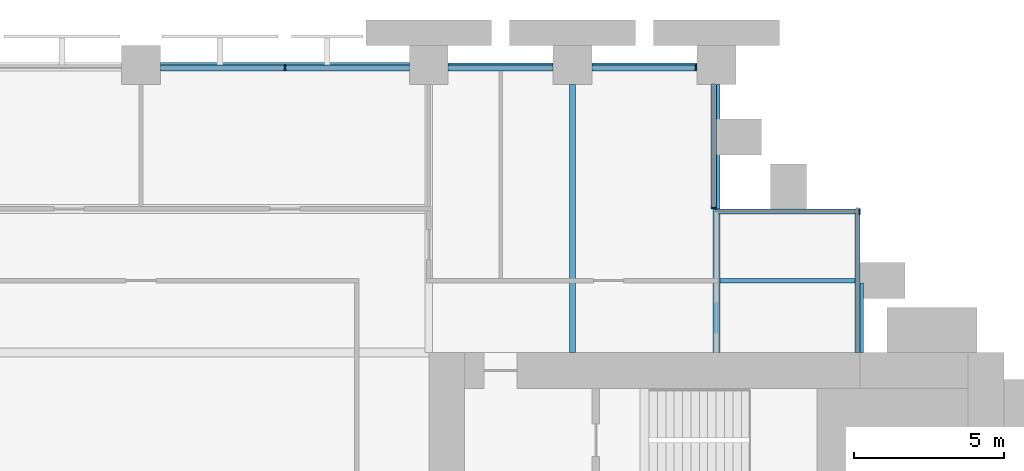
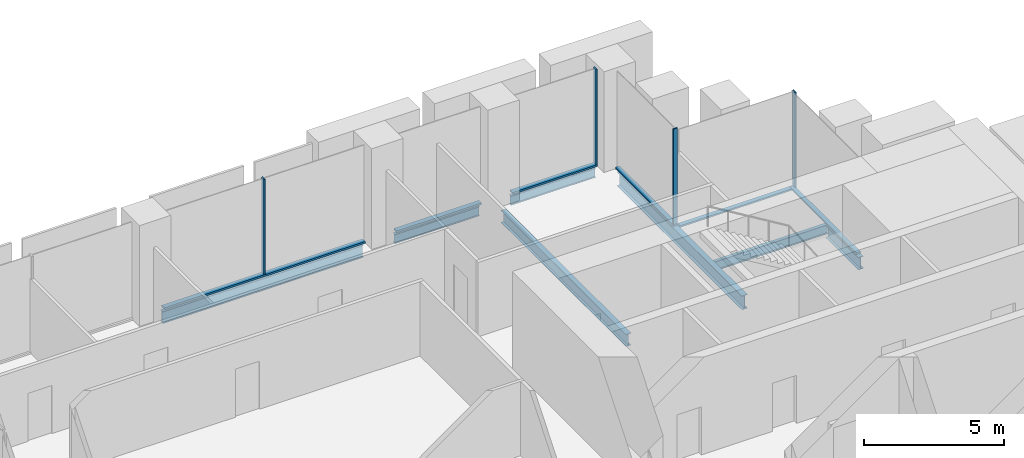
# One storey, part 15 of 30: 10 members, 7 beams, 4 elements without a shape of their own.
"""IFC4 building model written with IfcOpenShell, lengths in metres."""

from ifc_helpers import new_model, si_unit, direction, frame, origin, origin_2d, place, context, subcontext, project, spatial, rectangle, i_section, extrude, material, material_profile, profile_set, type_object, element, aggregate, save


model = new_model("IFC4")

# Units and contexts
model_context = context("Model", 3, precision=1e-05, world=origin(), true_north=direction((0.0, 1.0)))
body_context = subcontext(model_context, "Body", "Model", "MODEL_VIEW")
ifc_project = project(units=[si_unit("LENGTHUNIT", "METRE"), si_unit("AREAUNIT", "SQUARE_METRE"), si_unit("VOLUMEUNIT", "CUBIC_METRE"), si_unit("PLANEANGLEUNIT", "RADIAN"), si_unit("MASSUNIT", "GRAM", prefix="KILO")], contexts=[model_context])

# Site, building, storey
site_placement = place(None, origin())
site = spatial("IfcSite", under=ifc_project, at=site_placement, CompositionType="ELEMENT")
building_placement = place(site_placement, origin())
building = spatial("IfcBuilding", under=site, at=building_placement, Name="Baori Bourse Tower", CompositionType="ELEMENT")
storey_placement = place(building_placement, frame((0.0, 0.0, 17.0)))
storey = spatial("IfcBuildingStorey", under=building, at=storey_placement, Name="L02", CompositionType="ELEMENT", Elevation=17.0)

# Curtain wall, members
ifc_material_1 = material(Name="Pale anodised aluminium", Category="aluminium")
curtain_wall_type_1 = type_object("IfcCurtainWallType", Name="CW1 Curtain wall", PredefinedType="NOTDEFINED", material=ifc_material_1)
curtain_wall_1_placement = place(storey_placement, origin())
curtain_wall_1 = element("IfcCurtainWall", 1, at=curtain_wall_1_placement, inside=storey, type_object=curtain_wall_type_1, Name="Curtain wall CW1 L02 4", PredefinedType="NOTDEFINED")
ifc_material_2 = material(Name="Pale anodised aluminium", Category="aluminium")
ifc_material_profile_1 = material_profile(ifc_material_2, rectangle(XDim=0.199951171875, YDim=0.06005859375, at=origin_2d()), Name="Mullion 60x200")
ifc_profile_set_1 = profile_set([ifc_material_profile_1], Name="Pale anodised aluminium")
member_type_1 = type_object("IfcMemberType", Name="CW1 Curtain wall mullion", PredefinedType="MULLION", material=ifc_profile_set_1)
member_1_placement = place(storey_placement, frame((47.320068359375, 47.89990234375, 0.080078125), z_axis=(0.0, 0.0, 1.0), x_axis=(0.0, -1.0, 0.0)))
member_1 = element("IfcMember", 2, at=member_1_placement, type_object=member_type_1, Name="Curtain wall CW1 mullion", PredefinedType="MULLION", context=body_context, shape_type="SweptSolid", body=[
    extrude(rectangle(XDim=0.199951171875, YDim=0.06005859375, at=origin_2d()), origin(), (0.0, 0.0, 1.0), 4.159912109375),
])
member_2_placement = place(storey_placement, frame((33.60009765625, 47.89990234375, 0.080078125), z_axis=(0.0, 0.0, 1.0), x_axis=(0.0, -1.0, 0.0)))
member_2 = element("IfcMember", 3, at=member_2_placement, type_object=member_type_1, Name="Curtain wall CW1 mullion", PredefinedType="MULLION", context=body_context, shape_type="SweptSolid", body=[
    extrude(rectangle(XDim=0.199951171875, YDim=0.06005859375, at=origin_2d()), origin(), (0.0, 0.0, 1.0), 4.159912109375),
])
ifc_material_3 = material(Name="Pale anodised aluminium", Category="aluminium")
ifc_material_profile_2 = material_profile(ifc_material_3, rectangle(XDim=0.199951171875, YDim=0.080078125, at=origin_2d()), Name="Transom 80x200")
ifc_profile_set_2 = profile_set([ifc_material_profile_2], Name="Pale anodised aluminium")
member_type_2 = type_object("IfcMemberType", Name="CW1 Curtain wall transom", PredefinedType="USERDEFINED", material=ifc_profile_set_2)
member_3_placement = place(storey_placement, frame((47.35009765625, 47.89990234375, 0.0400390625), z_axis=(-1.0, 0.0, 0.0), x_axis=(0.0, -1.0, 0.0)))
member_3 = element("IfcMember", 4, at=member_3_placement, type_object=member_type_2, Name="Curtain wall CW1 sill rail", ObjectType="TRANSOM", PredefinedType="USERDEFINED", context=body_context, shape_type="SweptSolid", body=[
    extrude(rectangle(XDim=0.199951171875, YDim=0.080078125, at=origin_2d()), origin(), (0.0, 0.0, 1.0), 3.5),
])
member_4_placement = place(storey_placement, frame((42.550048828125, 47.89990234375, 0.0400390625), z_axis=(-1.0, 0.0, 0.0), x_axis=(0.0, -1.0, 0.0)))
member_4 = element("IfcMember", 5, at=member_4_placement, type_object=member_type_2, Name="Curtain wall CW1 sill rail", ObjectType="TRANSOM", PredefinedType="USERDEFINED", context=body_context, shape_type="SweptSolid", body=[
    extrude(rectangle(XDim=0.199951171875, YDim=0.080078125, at=origin_2d()), origin(), (0.0, 0.0, 1.0), 3.5),
])
member_5_placement = place(storey_placement, frame((37.75, 47.89990234375, 0.0400390625), z_axis=(-1.0, 0.0, 0.0), x_axis=(0.0, -1.0, 0.0)))
member_5 = element("IfcMember", 6, at=member_5_placement, type_object=member_type_2, Name="Curtain wall CW1 sill rail", ObjectType="TRANSOM", PredefinedType="USERDEFINED", context=body_context, shape_type="SweptSolid", body=[
    extrude(rectangle(XDim=0.199951171875, YDim=0.080078125, at=origin_2d()), origin(), (0.0, 0.0, 1.0), 8.300048828125),
])
aggregate(curtain_wall_1, [member_3, member_1, member_4, member_5, member_2])

# Curtain wall, member
ifc_material_4 = material(Name="Pale anodised aluminium", Category="aluminium")
curtain_wall_type_2 = type_object("IfcCurtainWallType", Name="CW2 Curtain wall", PredefinedType="NOTDEFINED", material=ifc_material_4)
curtain_wall_2_placement = place(storey_placement, origin())
curtain_wall_2 = element("IfcCurtainWall", 7, at=curtain_wall_2_placement, inside=storey, type_object=curtain_wall_type_2, Name="Curtain wall CW2 L02 2", PredefinedType="NOTDEFINED")
ifc_material_5 = material(Name="Pale anodised aluminium", Category="aluminium")
ifc_material_profile_3 = material_profile(ifc_material_5, rectangle(XDim=0.179931640625, YDim=0.054931640625, at=origin_2d()), Name="Mullion 55x180")
ifc_profile_set_3 = profile_set([ifc_material_profile_3], Name="Pale anodised aluminium")
member_type_3 = type_object("IfcMemberType", Name="CW2 Curtain wall mullion", PredefinedType="MULLION", material=ifc_profile_set_3)
member_6_placement = place(storey_placement, frame((52.7724609375, 43.110107421875, 0.070068359375), z_axis=(0.0, 0.0, 1.0), x_axis=(0.0, -1.0, 0.0)))
member_6 = element("IfcMember", 8, at=member_6_placement, type_object=member_type_3, Name="Curtain wall CW2 mullion", PredefinedType="MULLION", context=body_context, shape_type="SweptSolid", body=[
    extrude(rectangle(XDim=0.179931640625, YDim=0.054931640625, at=origin_2d()), origin(), (0.0, 0.0, 1.0), 4.169921875),
])

curtain_wall_3_placement = place(storey_placement, origin())
curtain_wall_3 = element("IfcCurtainWall", 9, at=curtain_wall_3_placement, inside=storey, type_object=curtain_wall_type_2, Name="Curtain wall CW2 L02 3", PredefinedType="NOTDEFINED")
member_7_placement = place(storey_placement, frame((47.909912109375, 43.2275390625, 0.070068359375), z_axis=(0.0, 0.0, 1.0), x_axis=(-1.0, 0.0, 0.0)))
member_7 = element("IfcMember", 10, at=member_7_placement, type_object=member_type_3, Name="Curtain wall CW2 mullion", PredefinedType="MULLION", context=body_context, shape_type="SweptSolid", body=[
    extrude(rectangle(XDim=0.179931640625, YDim=0.054931640625, at=origin_2d()), origin(), (0.0, 0.0, 1.0), 4.169921875),
])

curtain_wall_4_placement = place(storey_placement, origin())
curtain_wall_4 = element("IfcCurtainWall", 11, at=curtain_wall_4_placement, inside=storey, type_object=curtain_wall_type_2, Name="Curtain wall CW2 L02 1", PredefinedType="NOTDEFINED")
ifc_material_6 = material(Name="Pale anodised aluminium", Category="aluminium")
ifc_material_profile_4 = material_profile(ifc_material_6, rectangle(XDim=0.179931640625, YDim=0.070068359375, at=origin_2d()), Name="Transom 70x180")
ifc_profile_set_4 = profile_set([ifc_material_profile_4], Name="Pale anodised aluminium")
member_type_4 = type_object("IfcMemberType", Name="CW2 Curtain wall transom", PredefinedType="USERDEFINED", material=ifc_profile_set_4)
member_8_placement = place(storey_placement, frame((52.7099609375, 38.39990234375, 0.034912109375), z_axis=(0.0, 1.0, 0.0), x_axis=(-1.0, 0.0, 0.0)))
member_8 = element("IfcMember", 12, at=member_8_placement, type_object=member_type_4, Name="Curtain wall CW2 sill rail", ObjectType="TRANSOM", PredefinedType="USERDEFINED", context=body_context, shape_type="SweptSolid", body=[
    extrude(rectangle(XDim=0.179931640625, YDim=0.070068359375, at=origin_2d()), origin(), (0.0, 0.0, 1.0), 4.800048828125),
])
aggregate(curtain_wall_4, [member_8])

# Member
member_9_placement = place(storey_placement, frame((52.800048828125, 43.110107421875, 0.034912109375), z_axis=(-1.0, 0.0, 0.0), x_axis=(0.0, -1.0, 0.0)))
member_9 = element("IfcMember", 13, at=member_9_placement, type_object=member_type_4, Name="Curtain wall CW2 sill rail", ObjectType="TRANSOM", PredefinedType="USERDEFINED", context=body_context, shape_type="SweptSolid", body=[
    extrude(rectangle(XDim=0.179931640625, YDim=0.070068359375, at=origin_2d()), origin(), (0.0, 0.0, 1.0), 4.800048828125),
])

aggregate(curtain_wall_2, [member_9, member_6])

member_10_placement = place(storey_placement, frame((47.909912109375, 43.199951171875, 0.034912109375), z_axis=(0.0, 1.0, 0.0), x_axis=(-1.0, 0.0, 0.0)))
member_10 = element("IfcMember", 14, at=member_10_placement, type_object=member_type_4, Name="Curtain wall CW2 sill rail", ObjectType="TRANSOM", PredefinedType="USERDEFINED", context=body_context, shape_type="SweptSolid", body=[
    extrude(rectangle(XDim=0.179931640625, YDim=0.070068359375, at=origin_2d()), origin(), (0.0, 0.0, 1.0), 4.150146484375),
])

aggregate(curtain_wall_3, [member_10, member_7])

# Beams
ifc_material_7 = material(Name="Steel A992 Gr 50", Category="steel")
ifc_material_profile_5 = material_profile(ifc_material_7, i_section(OverallWidth=0.21240234375, OverallDepth=0.54345703125, WebThickness=0.01318359375, FlangeThickness=0.021240234375, at=origin_2d()), Name="W21x83")
ifc_profile_set_5 = profile_set([ifc_material_profile_5], Name="Steel A992 Gr 50")
beam_type_1 = type_object("IfcBeamType", Name="Core bracket W21x83", PredefinedType="BEAM", material=ifc_profile_set_5)
beam_1_placement = place(storey_placement, frame((52.800048828125, 38.39990234375, -0.431884765625), z_axis=(0.0, 1.0, 0.0), x_axis=(-1.0, 0.0, 0.0)))
element("IfcBeam", 15, at=beam_1_placement, inside=storey, type_object=beam_type_1, Name="Core bracket L02", PredefinedType="BEAM", context=body_context, shape_type="SweptSolid", body=[
    extrude(i_section(OverallWidth=0.21240234375, OverallDepth=0.54345703125, WebThickness=0.01318359375, FlangeThickness=0.021240234375, at=origin_2d()), origin(), (0.0, 0.0, 1.0), 2.329833984375),
])
ifc_material_8 = material(Name="Steel A992 Gr 50", Category="steel")
ifc_material_profile_6 = material_profile(ifc_material_8, i_section(OverallWidth=0.140380859375, OverallDepth=0.40380859375, WebThickness=0.007080078125, FlangeThickness=0.01123046875, at=origin_2d()), Name="W16x31")
ifc_profile_set_6 = profile_set([ifc_material_profile_6], Name="Steel A992 Gr 50")
beam_type_2 = type_object("IfcBeamType", Name="Edge beam W16x31", PredefinedType="BEAM", material=ifc_profile_set_6)
for number, where, z_axis, x_axis, name in (
    (16, (39.050048828125, 48.0, -0.36181640625), (1.0, 0.0, 0.0), (0.0, 1.0, 0.0), "Edge beam L02"),
    (17, (43.85009765625, 48.0, -0.36181640625), (1.0, 0.0, 0.0), (0.0, 1.0, 0.0), "Edge beam L02"),
):
    element("IfcBeam", number, at=place(storey_placement, frame(where, z_axis=z_axis, x_axis=x_axis)), inside=storey, type_object=beam_type_2, Name=name, PredefinedType="BEAM", context=body_context, shape_type="SweptSolid", body=[
        extrude(i_section(OverallWidth=0.140380859375, OverallDepth=0.40380859375, WebThickness=0.007080078125, FlangeThickness=0.01123046875, at=origin_2d()), origin(), (0.0, 0.0, 1.0), 3.5),
    ])
ifc_material_9 = material(Name="Steel A992 Gr 50", Category="steel")
ifc_material_profile_7 = material_profile(ifc_material_9, i_section(OverallWidth=0.1650390625, OverallDepth=0.52587890625, WebThickness=0.0087890625, FlangeThickness=0.011474609375, at=origin_2d()), Name="W21x44")
ifc_profile_set_7 = profile_set([ifc_material_profile_7], Name="Steel A992 Gr 50")
beam_type_3 = type_object("IfcBeamType", Name="Edge beam W21x44", PredefinedType="BEAM", material=ifc_profile_set_7)
beam_2_placement = place(storey_placement, frame((29.449951171875, 48.0, -0.4228515625), z_axis=(1.0, 0.0, 0.0), x_axis=(0.0, 1.0, 0.0)))
element("IfcBeam", 18, at=beam_2_placement, inside=storey, type_object=beam_type_3, Name="Edge beam L02", PredefinedType="BEAM", context=body_context, shape_type="SweptSolid", body=[
    extrude(i_section(OverallWidth=0.1650390625, OverallDepth=0.52587890625, WebThickness=0.0087890625, FlangeThickness=0.011474609375, at=origin_2d()), origin(), (0.0, 0.0, 1.0), 8.300048828125),
])
ifc_material_10 = material(Name="Steel A992 Gr 50", Category="steel")
ifc_material_profile_8 = material_profile(ifc_material_10, i_section(OverallWidth=0.209228515625, OverallDepth=0.533447265625, WebThickness=0.01025390625, FlangeThickness=0.015625, at=origin_2d()), Name="W21x62")
ifc_profile_set_8 = profile_set([ifc_material_profile_8], Name="Steel A992 Gr 50")
beam_type_4 = type_object("IfcBeamType", Name="Floor beam W21x62", PredefinedType="BEAM", material=ifc_profile_set_8)
beam_3_placement = place(storey_placement, frame((43.199951171875, 38.39990234375, -0.4267578125), z_axis=(0.0, 1.0, 0.0), x_axis=(-1.0, 0.0, 0.0)))
element("IfcBeam", 19, at=beam_3_placement, inside=storey, type_object=beam_type_4, Name="Floor beam L02", PredefinedType="BEAM", context=body_context, shape_type="SweptSolid", body=[
    extrude(i_section(OverallWidth=0.209228515625, OverallDepth=0.533447265625, WebThickness=0.01025390625, FlangeThickness=0.015625, at=origin_2d()), origin(), (0.0, 0.0, 1.0), 8.9501953125),
])
ifc_material_11 = material(Name="Steel A992 Gr 50", Category="steel")
ifc_material_profile_9 = material_profile(ifc_material_11, i_section(OverallWidth=0.227783203125, OverallDepth=0.60205078125, WebThickness=0.010498046875, FlangeThickness=0.014892578125, at=origin_2d()), Name="W24x68")
ifc_profile_set_9 = profile_set([ifc_material_profile_9], Name="Steel A992 Gr 50")
beam_type_5 = type_object("IfcBeamType", Name="Floor beam W24x68", PredefinedType="BEAM", material=ifc_profile_set_9)
beam_4_placement = place(storey_placement, frame((48.0, 38.39990234375, -0.4609375), z_axis=(0.0, 1.0, 0.0), x_axis=(-1.0, 0.0, 0.0)))
element("IfcBeam", 20, at=beam_4_placement, inside=storey, type_object=beam_type_5, Name="Floor beam L02", PredefinedType="BEAM", context=body_context, shape_type="SweptSolid", body=[
    extrude(i_section(OverallWidth=0.227783203125, OverallDepth=0.60205078125, WebThickness=0.010498046875, FlangeThickness=0.014892578125, at=origin_2d()), origin(), (0.0, 0.0, 1.0), 8.9501953125),
])
ifc_material_12 = material(Name="Steel A992 Gr 50", Category="steel")
ifc_material_profile_10 = material_profile(ifc_material_12, i_section(OverallWidth=0.140380859375, OverallDepth=0.40380859375, WebThickness=0.007080078125, FlangeThickness=0.01123046875, at=origin_2d()), Name="W16x31")
ifc_profile_set_10 = profile_set([ifc_material_profile_10], Name="Steel A992 Gr 50")
beam_type_6 = type_object("IfcBeamType", Name="Trimmer beam W16x31", PredefinedType="BEAM", material=ifc_profile_set_10)
beam_5_placement = place(storey_placement, frame((48.114013671875, 40.800048828125, -0.36181640625), z_axis=(1.0, 0.0, 0.0), x_axis=(0.0, 1.0, 0.0)))
element("IfcBeam", 21, at=beam_5_placement, inside=storey, type_object=beam_type_6, Name="Trimmer beam L02", PredefinedType="BEAM", context=body_context, shape_type="SweptSolid", body=[
    extrude(i_section(OverallWidth=0.140380859375, OverallDepth=0.40380859375, WebThickness=0.007080078125, FlangeThickness=0.01123046875, at=origin_2d()), origin(), (0.0, 0.0, 1.0), 4.68603515625),
])

save(model, "model.ifc")
